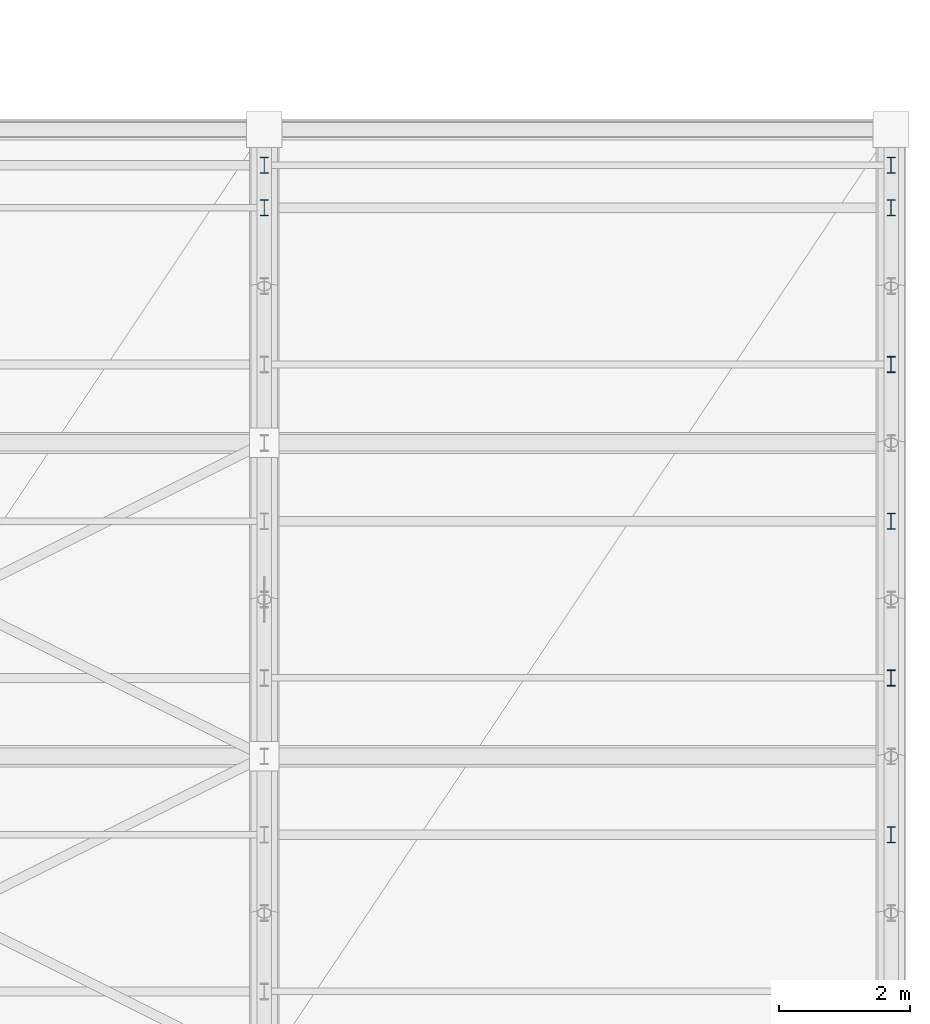
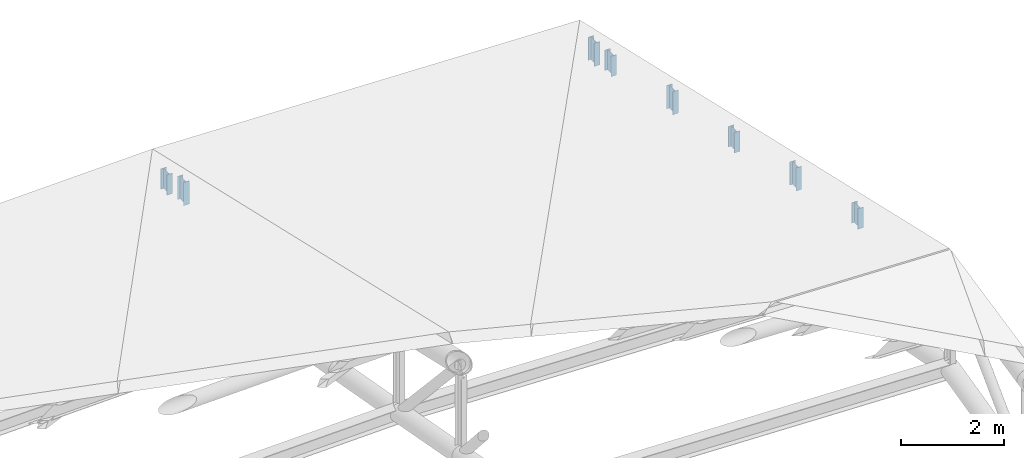
# One storey, part 92 of 109: 8 members.
"""IFC4 building model written with IfcOpenShell, lengths in metres."""

from ifc_helpers import new_model, si_unit, direction, frame, origin, origin_2d, place, context, subcontext, project, spatial, i_section, extrude, material, material_profile, profile_set, type_object, element, save


model = new_model("IFC4")

# Units and contexts
model_context = context("Model", 3, precision=1e-05, world=origin(), true_north=direction((0.0, 1.0)))
body_context = subcontext(model_context, "Body", "Model", "MODEL_VIEW")
ifc_project = project(units=[si_unit("LENGTHUNIT", "METRE"), si_unit("AREAUNIT", "SQUARE_METRE"), si_unit("VOLUMEUNIT", "CUBIC_METRE"), si_unit("PLANEANGLEUNIT", "RADIAN"), si_unit("MASSUNIT", "GRAM", prefix="KILO")], contexts=[model_context])

# Site, building, storey
site_placement = place(None, origin())
site = spatial("IfcSite", under=ifc_project, at=site_placement, CompositionType="ELEMENT")
building_placement = place(site_placement, origin())
building = spatial("IfcBuilding", under=site, at=building_placement, Name="Suirenkawa Promenade Aquatics Centre", CompositionType="ELEMENT")
storey_placement = place(building_placement, frame((0.0, 0.0, 22.800048828125)))
storey = spatial("IfcBuildingStorey", under=building, at=storey_placement, Name="ROOF", CompositionType="ELEMENT", Elevation=22.800048828125)

# Members
ifc_material = material(Name="Steel IS 2062 E350 (Grade 350)", Category="steel")
ifc_material_profile = material_profile(ifc_material, i_section(OverallWidth=0.125, OverallDepth=0.25, WebThickness=0.007080078125, FlangeThickness=0.012939453125, at=origin_2d()), Name="ISMB 250", Category="steel")
ifc_profile_set = profile_set([ifc_material_profile], Name="Steel IS 2062 E350 (Grade 350)")
member_type = type_object("IfcMemberType", Name="MT-WEB-CHS168", PredefinedType="BRACE", material=ifc_profile_set)
member_1_placement = place(storey_placement, frame((184.800048828125, 99.60009765625, -4.425048828125), z_axis=(0.0, 0.0, 1.0), x_axis=(1.0, 0.0, 0.0)))
element("IfcMember", 1, at=member_1_placement, inside=storey, type_object=member_type, Name="ROOF TRUSS Purlin cleat post TD-03 MB-2558", PredefinedType="BRACE", context=body_context, shape_type="SweptSolid", body=[
    extrude(i_section(OverallWidth=0.125, OverallDepth=0.25, WebThickness=0.007080078125, FlangeThickness=0.012939453125, at=origin_2d()), origin(), (0.0, 0.0, 1.0), 0.549072265625),
])
member_2_placement = place(storey_placement, frame((184.800048828125, 100.25, -4.573974609375), z_axis=(0.0, 0.0, 1.0), x_axis=(1.0, 0.0, 0.0)))
element("IfcMember", 2, at=member_2_placement, inside=storey, type_object=member_type, Name="ROOF TRUSS Purlin cleat post TD-03 MB-2560", PredefinedType="BRACE", context=body_context, shape_type="SweptSolid", body=[
    extrude(i_section(OverallWidth=0.125, OverallDepth=0.25, WebThickness=0.007080078125, FlangeThickness=0.012939453125, at=origin_2d()), origin(), (0.0, 0.0, 1.0), 0.48388671875),
])
member_3_placement = place(storey_placement, frame((194.39990234375, 90.0, -2.525146484375), z_axis=(0.0, 0.0, 1.0), x_axis=(1.0, 0.0, 0.0)))
element("IfcMember", 3, at=member_3_placement, inside=storey, type_object=member_type, Name="ROOF TRUSS Purlin cleat post TD-03 MB-2594", PredefinedType="BRACE", context=body_context, shape_type="SweptSolid", body=[
    extrude(i_section(OverallWidth=0.125, OverallDepth=0.25, WebThickness=0.007080078125, FlangeThickness=0.012939453125, at=origin_2d()), origin(), (0.0, 0.0, 1.0), 0.484130859375),
])
member_4_placement = place(storey_placement, frame((194.39990234375, 92.39990234375, -3.074951171875), z_axis=(0.0, 0.0, 1.0), x_axis=(1.0, 0.0, 0.0)))
element("IfcMember", 4, at=member_4_placement, inside=storey, type_object=member_type, Name="ROOF TRUSS Purlin cleat post TD-03 MB-2596", PredefinedType="BRACE", context=body_context, shape_type="SweptSolid", body=[
    extrude(i_section(OverallWidth=0.125, OverallDepth=0.25, WebThickness=0.007080078125, FlangeThickness=0.012939453125, at=origin_2d()), origin(), (0.0, 0.0, 1.0), 0.548828125),
])
member_5_placement = place(storey_placement, frame((194.39990234375, 94.800048828125, -3.625), z_axis=(0.0, 0.0, 1.0), x_axis=(1.0, 0.0, 0.0)))
element("IfcMember", 5, at=member_5_placement, inside=storey, type_object=member_type, Name="ROOF TRUSS Purlin cleat post TD-03 MB-2598", PredefinedType="BRACE", context=body_context, shape_type="SweptSolid", body=[
    extrude(i_section(OverallWidth=0.125, OverallDepth=0.25, WebThickness=0.007080078125, FlangeThickness=0.012939453125, at=origin_2d()), origin(), (0.0, 0.0, 1.0), 0.48388671875),
])
member_6_placement = place(storey_placement, frame((194.39990234375, 97.199951171875, -4.175048828125), z_axis=(0.0, 0.0, 1.0), x_axis=(1.0, 0.0, 0.0)))
element("IfcMember", 6, at=member_6_placement, inside=storey, type_object=member_type, Name="ROOF TRUSS Purlin cleat post TD-03 MB-2600", PredefinedType="BRACE", context=body_context, shape_type="SweptSolid", body=[
    extrude(i_section(OverallWidth=0.125, OverallDepth=0.25, WebThickness=0.007080078125, FlangeThickness=0.012939453125, at=origin_2d()), origin(), (0.0, 0.0, 1.0), 0.549072265625),
])
member_7_placement = place(storey_placement, frame((194.39990234375, 99.60009765625, -4.72509765625), z_axis=(0.0, 0.0, 1.0), x_axis=(1.0, 0.0, 0.0)))
element("IfcMember", 7, at=member_7_placement, inside=storey, type_object=member_type, Name="ROOF TRUSS Purlin cleat post TD-03 MB-2602", PredefinedType="BRACE", context=body_context, shape_type="SweptSolid", body=[
    extrude(i_section(OverallWidth=0.125, OverallDepth=0.25, WebThickness=0.007080078125, FlangeThickness=0.012939453125, at=origin_2d()), origin(), (0.0, 0.0, 1.0), 0.484130859375),
])
member_8_placement = place(storey_placement, frame((194.39990234375, 100.25, -4.8740234375), z_axis=(0.0, 0.0, 1.0), x_axis=(1.0, 0.0, 0.0)))
element("IfcMember", 8, at=member_8_placement, inside=storey, type_object=member_type, Name="ROOF TRUSS Purlin cleat post TD-03 MB-2604", PredefinedType="BRACE", context=body_context, shape_type="SweptSolid", body=[
    extrude(i_section(OverallWidth=0.125, OverallDepth=0.25, WebThickness=0.007080078125, FlangeThickness=0.012939453125, at=origin_2d()), origin(), (0.0, 0.0, 1.0), 0.549072265625),
])

save(model, "model.ifc")
